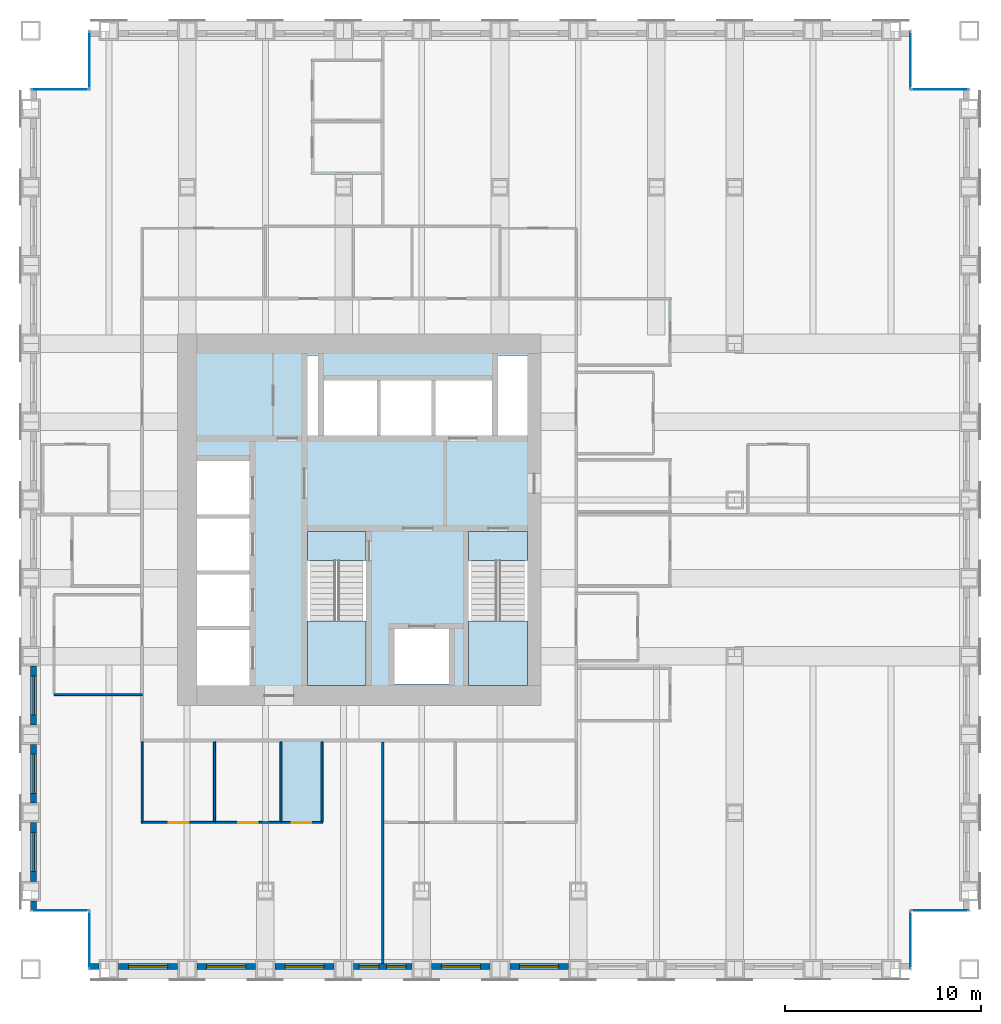
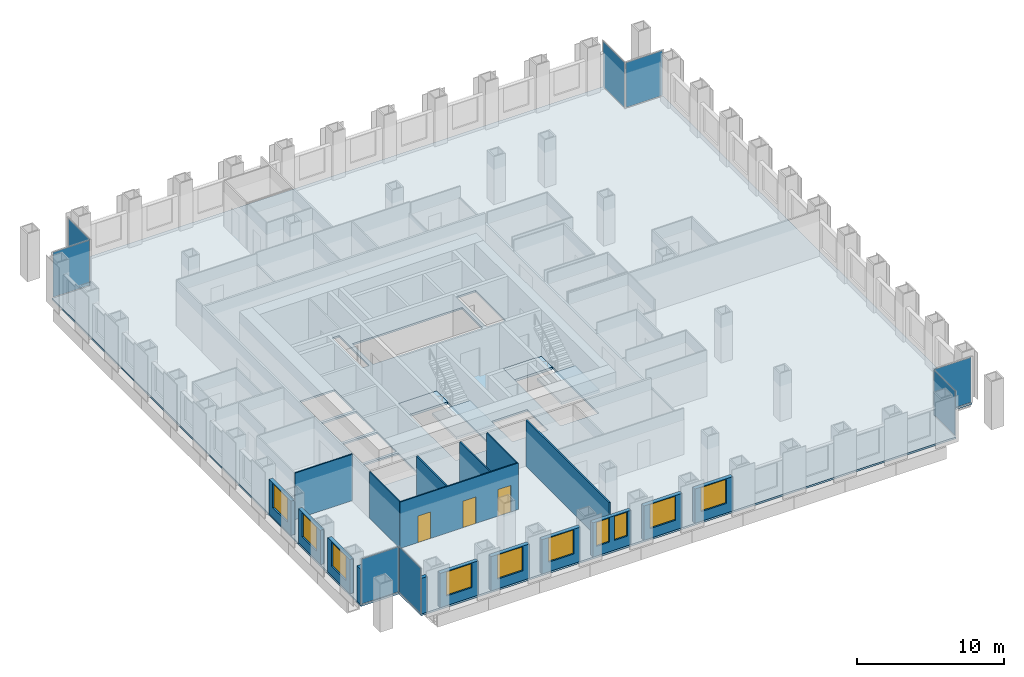
# One storey, part 10 of 16: 18 walls, 10 windows, 8 plates, 5 slabs, 3 doors, 13 openings, 10 elements without a shape of their own.
"""IFC4 building model written with IfcOpenShell, lengths in metres."""

from ifc_helpers import new_model, si_unit, direction, frame, frame_2d, origin, origin_2d, place, context, subcontext, project, spatial, polyline, rectangle, outline, extrude, material, layer, layer_set, type_object, element, fill, aggregate, save


model = new_model("IFC4")

# Units and contexts
model_context = context("Model", 3, precision=1e-05, world=origin(), true_north=direction((0.0, 1.0)))
body_context = subcontext(model_context, "Body", "Model", "MODEL_VIEW")
ifc_project = project(units=[si_unit("LENGTHUNIT", "METRE"), si_unit("AREAUNIT", "SQUARE_METRE"), si_unit("VOLUMEUNIT", "CUBIC_METRE"), si_unit("PLANEANGLEUNIT", "RADIAN"), si_unit("MASSUNIT", "GRAM", prefix="KILO")], contexts=[model_context])

# Site, building, storey
site_placement = place(None, origin())
site = spatial("IfcSite", under=ifc_project, at=site_placement, CompositionType="ELEMENT")
building_placement = place(site_placement, origin())
building = spatial("IfcBuilding", under=site, at=building_placement, Name="Rimbunsela Tower", CompositionType="ELEMENT")
storey_placement = place(building_placement, frame((0.0, 0.0, 121.39990234375)))
storey = spatial("IfcBuildingStorey", under=building, at=storey_placement, Name="L29", CompositionType="ELEMENT", Elevation=121.39990234375)

# Slab
ifc_material_1 = material(Name="Concrete fc' 35 MPa", Category="concrete")
ifc_layer_1 = layer(ifc_material_1, 0.14990234375)
ifc_layer_set_1 = layer_set([ifc_layer_1], Name="Floor slab 150")
slab_type_1 = type_object("IfcSlabType", Name="Floor slab 150", PredefinedType="FLOOR", material=ifc_layer_set_1)
slab_1_placement = place(storey_placement, frame((0.0, 0.0, -0.14990234375)))
element("IfcSlab", 1, at=slab_1_placement, inside=storey, type_object=slab_type_1, Name="Floor slab L29", PredefinedType="FLOOR", context=body_context, shape_type="SweptSolid", body=[
    extrude(outline(polyline([(13.0, 4.0), (55.0, 4.0), (55.0, 7.0), (58.0, 7.0), (58.0, 49.0), (55.0, 49.0), (55.0, 52.0), (13.0, 52.0), (13.0, 49.0), (10.0, 49.0), (10.0, 7.0), (13.0, 7.0), (13.0, 4.0)]), holes=[polyline([(21.199951171875, 21.35009765625), (18.5, 21.35009765625), (18.5, 18.5), (21.199951171875, 18.5), (21.199951171875, 21.35009765625)]), polyline([(21.199951171875, 21.550048828125), (21.199951171875, 24.199951171875), (18.5, 24.199951171875), (18.5, 21.550048828125), (21.199951171875, 21.550048828125)]), polyline([(21.199951171875, 27.050048828125), (18.5, 27.050048828125), (18.5, 24.39990234375), (21.199951171875, 24.39990234375), (21.199951171875, 27.050048828125)]), polyline([(21.199951171875, 27.25), (21.199951171875, 30.0), (18.5, 30.0), (18.5, 27.25), (21.199951171875, 27.25)]), polyline([(27.14990234375, 18.60009765625), (27.14990234375, 26.39990234375), (24.14990234375, 26.39990234375), (24.14990234375, 18.60009765625), (27.14990234375, 18.60009765625)]), polyline([(24.699951171875, 31.300048828125), (24.699951171875, 35.39990234375), (24.14990234375, 35.39990234375), (24.14990234375, 31.300048828125), (24.699951171875, 31.300048828125)]), polyline([(25.0, 34.10009765625), (25.0, 31.300048828125), (33.60009765625, 31.300048828125), (33.60009765625, 34.10009765625), (25.0, 34.10009765625)]), polyline([(31.39990234375, 21.39990234375), (28.60009765625, 21.39990234375), (28.60009765625, 18.60009765625), (31.39990234375, 18.60009765625), (31.39990234375, 21.39990234375)]), polyline([(35.39990234375, 18.60009765625), (35.39990234375, 26.39990234375), (32.39990234375, 26.39990234375), (32.39990234375, 18.60009765625), (35.39990234375, 18.60009765625)]), polyline([(35.39990234375, 31.300048828125), (35.39990234375, 35.39990234375), (33.89990234375, 35.39990234375), (33.89990234375, 31.300048828125), (35.39990234375, 31.300048828125)])]), origin(), (0.0, 0.0, 1.0), 0.14990234375),
])

# Curtain wall, plate
ifc_material_2 = material(Name="Aluminium curtain wall", Category="aluminium")
curtain_wall_type = type_object("IfcCurtainWallType", Name="Corner glazing", PredefinedType="USERDEFINED", material=ifc_material_2)
curtain_wall_1_placement = place(storey_placement, origin())
curtain_wall_1 = element("IfcCurtainWall", 2, at=curtain_wall_1_placement, inside=storey, type_object=curtain_wall_type, Name="Corner glazing L29", ObjectType="CORNER GLAZING", PredefinedType="USERDEFINED")
ifc_material_3 = material(Name="Clear double glazing", Category="glass")
ifc_layer_2 = layer(ifc_material_3, 0.028076171875)
ifc_layer_set_2 = layer_set([ifc_layer_2], Name="Glazed panel clear")
plate_type = type_object("IfcPlateType", Name="Glazed panel clear", PredefinedType="CURTAIN_PANEL", material=ifc_layer_set_2)
plate_1_placement = place(storey_placement, frame((55.0, 5.5, 0.06005859375), z_axis=(0.0, 0.0, 1.0), x_axis=(0.0, 1.0, 0.0)))
plate_1 = element("IfcPlate", 3, at=plate_1_placement, type_object=plate_type, Name="CW5 panel 1.1", PredefinedType="CURTAIN_PANEL", context=body_context, shape_type="SweptSolid", body=[
    extrude(rectangle(XDim=2.8798828125, YDim=0.028076171875, at=origin_2d()), origin(), (0.0, 0.0, 1.0), 3.72998046875),
])
aggregate(curtain_wall_1, [plate_1])

curtain_wall_2_placement = place(storey_placement, origin())
curtain_wall_2 = element("IfcCurtainWall", 4, at=curtain_wall_2_placement, inside=storey, type_object=curtain_wall_type, Name="Corner glazing L29", ObjectType="CORNER GLAZING", PredefinedType="USERDEFINED")
plate_2_placement = place(storey_placement, frame((56.5, 7.0, 0.06005859375), z_axis=(0.0, 0.0, 1.0), x_axis=(1.0, 0.0, 0.0)))
plate_2 = element("IfcPlate", 5, at=plate_2_placement, type_object=plate_type, Name="CW5 panel 1.1", PredefinedType="CURTAIN_PANEL", context=body_context, shape_type="SweptSolid", body=[
    extrude(rectangle(XDim=2.8798828125, YDim=0.028076171875, at=origin_2d()), origin(), (0.0, 0.0, 1.0), 3.72998046875),
])
aggregate(curtain_wall_2, [plate_2])

curtain_wall_3_placement = place(storey_placement, origin())
curtain_wall_3 = element("IfcCurtainWall", 6, at=curtain_wall_3_placement, inside=storey, type_object=curtain_wall_type, Name="Corner glazing L29", ObjectType="CORNER GLAZING", PredefinedType="USERDEFINED")
plate_3_placement = place(storey_placement, frame((56.5, 49.0, 0.06005859375), z_axis=(0.0, 0.0, 1.0), x_axis=(-1.0, 0.0, 0.0)))
plate_3 = element("IfcPlate", 7, at=plate_3_placement, type_object=plate_type, Name="CW5 panel 1.1", PredefinedType="CURTAIN_PANEL", context=body_context, shape_type="SweptSolid", body=[
    extrude(rectangle(XDim=2.8798828125, YDim=0.028076171875, at=origin_2d()), origin(), (0.0, 0.0, 1.0), 3.72998046875),
])
aggregate(curtain_wall_3, [plate_3])

curtain_wall_4_placement = place(storey_placement, origin())
curtain_wall_4 = element("IfcCurtainWall", 8, at=curtain_wall_4_placement, inside=storey, type_object=curtain_wall_type, Name="Corner glazing L29", ObjectType="CORNER GLAZING", PredefinedType="USERDEFINED")
plate_4_placement = place(storey_placement, frame((55.0, 50.5, 0.06005859375), z_axis=(0.0, 0.0, 1.0), x_axis=(0.0, 1.0, 0.0)))
plate_4 = element("IfcPlate", 9, at=plate_4_placement, type_object=plate_type, Name="CW5 panel 1.1", PredefinedType="CURTAIN_PANEL", context=body_context, shape_type="SweptSolid", body=[
    extrude(rectangle(XDim=2.8798828125, YDim=0.028076171875, at=origin_2d()), origin(), (0.0, 0.0, 1.0), 3.72998046875),
])
aggregate(curtain_wall_4, [plate_4])

curtain_wall_5_placement = place(storey_placement, origin())
curtain_wall_5 = element("IfcCurtainWall", 10, at=curtain_wall_5_placement, inside=storey, type_object=curtain_wall_type, Name="Corner glazing L29", ObjectType="CORNER GLAZING", PredefinedType="USERDEFINED")
plate_5_placement = place(storey_placement, frame((13.0, 50.5, 0.06005859375), z_axis=(0.0, 0.0, 1.0), x_axis=(0.0, -1.0, 0.0)))
plate_5 = element("IfcPlate", 11, at=plate_5_placement, type_object=plate_type, Name="CW5 panel 1.1", PredefinedType="CURTAIN_PANEL", context=body_context, shape_type="SweptSolid", body=[
    extrude(rectangle(XDim=2.8798828125, YDim=0.028076171875, at=origin_2d()), origin(), (0.0, 0.0, 1.0), 3.72998046875),
])
aggregate(curtain_wall_5, [plate_5])

curtain_wall_6_placement = place(storey_placement, origin())
curtain_wall_6 = element("IfcCurtainWall", 12, at=curtain_wall_6_placement, inside=storey, type_object=curtain_wall_type, Name="Corner glazing L29", ObjectType="CORNER GLAZING", PredefinedType="USERDEFINED")
plate_6_placement = place(storey_placement, frame((11.5, 49.0, 0.06005859375), z_axis=(0.0, 0.0, 1.0), x_axis=(-1.0, 0.0, 0.0)))
plate_6 = element("IfcPlate", 13, at=plate_6_placement, type_object=plate_type, Name="CW5 panel 1.1", PredefinedType="CURTAIN_PANEL", context=body_context, shape_type="SweptSolid", body=[
    extrude(rectangle(XDim=2.8798828125, YDim=0.028076171875, at=origin_2d()), origin(), (0.0, 0.0, 1.0), 3.72998046875),
])
aggregate(curtain_wall_6, [plate_6])

curtain_wall_7_placement = place(storey_placement, origin())
curtain_wall_7 = element("IfcCurtainWall", 14, at=curtain_wall_7_placement, inside=storey, type_object=curtain_wall_type, Name="Corner glazing L29", ObjectType="CORNER GLAZING", PredefinedType="USERDEFINED")
plate_7_placement = place(storey_placement, frame((11.5, 7.0, 0.06005859375), z_axis=(0.0, 0.0, 1.0), x_axis=(1.0, 0.0, 0.0)))
plate_7 = element("IfcPlate", 15, at=plate_7_placement, type_object=plate_type, Name="CW5 panel 1.1", PredefinedType="CURTAIN_PANEL", context=body_context, shape_type="SweptSolid", body=[
    extrude(rectangle(XDim=2.8798828125, YDim=0.028076171875, at=origin_2d()), origin(), (0.0, 0.0, 1.0), 3.72998046875),
])
aggregate(curtain_wall_7, [plate_7])

curtain_wall_8_placement = place(storey_placement, origin())
curtain_wall_8 = element("IfcCurtainWall", 16, at=curtain_wall_8_placement, inside=storey, type_object=curtain_wall_type, Name="Corner glazing L29", ObjectType="CORNER GLAZING", PredefinedType="USERDEFINED")
plate_8_placement = place(storey_placement, frame((13.0, 5.5, 0.06005859375), z_axis=(0.0, 0.0, 1.0), x_axis=(0.0, -1.0, 0.0)))
plate_8 = element("IfcPlate", 17, at=plate_8_placement, type_object=plate_type, Name="CW5 panel 1.1", PredefinedType="CURTAIN_PANEL", context=body_context, shape_type="SweptSolid", body=[
    extrude(rectangle(XDim=2.8798828125, YDim=0.028076171875, at=origin_2d()), origin(), (0.0, 0.0, 1.0), 3.72998046875),
])
aggregate(curtain_wall_8, [plate_8])

# Stair, slabs
ifc_material_4 = material(Name="Concrete fc' 35 MPa", Category="concrete")
stair_type = type_object("IfcStairType", Name="Exit stair 24 risers", PredefinedType="HALF_TURN_STAIR", material=ifc_material_4)
stair_1_placement = place(storey_placement, origin())
stair_1 = element("IfcStair", 18, at=stair_1_placement, inside=storey, type_object=stair_type, Name="Exit stair A L29", PredefinedType="HALF_TURN_STAIR")
ifc_material_5 = material(Name="Concrete fc' 35 MPa", Category="concrete")
ifc_layer_3 = layer(ifc_material_5, 0.199951171875)
ifc_layer_set_3 = layer_set([ifc_layer_3], Name="Stair landing 200")
slab_type_2 = type_object("IfcSlabType", Name="Stair landing 200", PredefinedType="LANDING", material=ifc_layer_set_3)
slab_2_placement = place(storey_placement, frame((0.0, 0.0, -0.199951171875)))
slab_2 = element("IfcSlab", 19, at=slab_2_placement, type_object=slab_type_2, Name="ST-A landing 1", PredefinedType="LANDING", context=body_context, shape_type="SweptSolid", body=[
    extrude(outline(polyline([(24.14990234375, 24.89990234375), (27.14990234375, 24.89990234375), (27.14990234375, 26.39990234375), (24.14990234375, 26.39990234375), (24.14990234375, 24.89990234375)])), origin(), (0.0, 0.0, 1.0), 0.199951171875),
])
slab_3_placement = place(storey_placement, frame((0.0, 0.0, 1.800048828125)))
slab_3 = element("IfcSlab", 20, at=slab_3_placement, type_object=slab_type_2, Name="ST-A landing 2", PredefinedType="LANDING", context=body_context, shape_type="SweptSolid", body=[
    extrude(outline(polyline([(24.14990234375, 18.5), (27.14990234375, 18.5), (27.14990234375, 21.820068359375), (24.14990234375, 21.820068359375), (24.14990234375, 18.5)])), origin(), (0.0, 0.0, 1.0), 0.199951171875),
])
aggregate(stair_1, [slab_2, slab_3])

stair_2_placement = place(storey_placement, origin())
stair_2 = element("IfcStair", 21, at=stair_2_placement, inside=storey, type_object=stair_type, Name="Exit stair B L29", PredefinedType="HALF_TURN_STAIR")
slab_4_placement = place(storey_placement, frame((0.0, 0.0, -0.199951171875)))
slab_4 = element("IfcSlab", 22, at=slab_4_placement, type_object=slab_type_2, Name="ST-B landing 1", PredefinedType="LANDING", context=body_context, shape_type="SweptSolid", body=[
    extrude(outline(polyline([(32.39990234375, 24.89990234375), (35.39990234375, 24.89990234375), (35.39990234375, 26.39990234375), (32.39990234375, 26.39990234375), (32.39990234375, 24.89990234375)])), origin(), (0.0, 0.0, 1.0), 0.199951171875),
])
slab_5_placement = place(storey_placement, frame((0.0, 0.0, 1.800048828125)))
slab_5 = element("IfcSlab", 23, at=slab_5_placement, type_object=slab_type_2, Name="ST-B landing 2", PredefinedType="LANDING", context=body_context, shape_type="SweptSolid", body=[
    extrude(outline(polyline([(32.39990234375, 18.5), (35.39990234375, 18.5), (35.39990234375, 21.820068359375), (32.39990234375, 21.820068359375), (32.39990234375, 18.5)])), origin(), (0.0, 0.0, 1.0), 0.199951171875),
])
aggregate(stair_2, [slab_4, slab_5])

# Wall, openings, doors
ifc_material_6 = material(Name="Gypsum board on steel studs", Category="steel")
ifc_layer_4 = layer(ifc_material_6, 0.10009765625)
ifc_layer_set_4 = layer_set([ifc_layer_4], Name="Office partition 100")
wall_type_1 = type_object("IfcWallType", Name="Office partition 100", PredefinedType="PARTITIONING", material=ifc_layer_set_4)
wall_1_placement = place(storey_placement, frame((15.64990234375, 11.5, 0.0), z_axis=(0.0, 0.0, 1.0), x_axis=(1.0, 0.0, 0.0)))
wall_1 = element("IfcWall", 24, at=wall_1_placement, inside=storey, type_object=wall_type_1, Name="Office partition", PredefinedType="PARTITIONING", context=body_context, shape_type="SweptSolid", body=[
    extrude(rectangle(XDim=9.300048828125, YDim=0.10009765625, at=frame_2d((4.64990234375, 0.0))), origin(), (0.0, 0.0, 1.0), 3.85009765625),
])
opening_1_placement = place(wall_1_placement, frame((1.39990234375, 0.0, 0.0)))
opening_1 = element("IfcOpeningElement", 25, at=opening_1_placement, cuts=wall_1, Name="Opening D17", PredefinedType="OPENING", context=body_context, shape_type="SweptSolid", body=[
    extrude(rectangle(XDim=1.0, YDim=2.199951171875, at=frame_2d((0.5, 1.10009765625))), frame((0.0, 0.06005859375, 0.0), z_axis=(0.0, -1.0, 0.0), x_axis=(1.0, 0.0, 0.0)), (0.0, 0.0, 1.0), 0.1201171875),
])
opening_2_placement = place(wall_1_placement, frame((4.949951171875, 0.0, 0.0)))
opening_2 = element("IfcOpeningElement", 26, at=opening_2_placement, cuts=wall_1, Name="Opening D16", PredefinedType="OPENING", context=body_context, shape_type="SweptSolid", body=[
    extrude(rectangle(XDim=1.0, YDim=2.199951171875, at=frame_2d((0.5, 1.10009765625))), frame((0.0, 0.06005859375, 0.0), z_axis=(0.0, -1.0, 0.0), x_axis=(1.0, 0.0, 0.0)), (0.0, 0.0, 1.0), 0.1201171875),
])
opening_3_placement = place(wall_1_placement, frame((7.699951171875, 0.0, 0.0)))
opening_3 = element("IfcOpeningElement", 27, at=opening_3_placement, cuts=wall_1, Name="Opening D16", PredefinedType="OPENING", context=body_context, shape_type="SweptSolid", body=[
    extrude(rectangle(XDim=1.0, YDim=2.199951171875, at=frame_2d((0.5, 1.10009765625))), frame((0.0, 0.06005859375, 0.0), z_axis=(0.0, -1.0, 0.0), x_axis=(1.0, 0.0, 0.0)), (0.0, 0.0, 1.0), 0.1201171875),
])
ifc_material_7 = material(Name="Glazed aluminium door", Category="aluminium")
door_type_1 = type_object("IfcDoorType", Name="Meeting room door 1000 glazed", OperationType="SINGLE_SWING_RIGHT", PredefinedType="DOOR", material=ifc_material_7)
door_1_placement = place(opening_1_placement, origin())
door_1 = element("IfcDoor", 28, at=door_1_placement, inside=storey, type_object=door_type_1, Name="Meeting room door", OperationType="SINGLE_SWING_RIGHT", OverallHeight=2.199951171875, OverallWidth=1.0, PredefinedType="DOOR", context=body_context, shape_type="SweptSolid", body=[
    extrude(rectangle(XDim=1.0, YDim=2.199951171875, at=frame_2d((0.5, 1.10009765625))), frame((0.0, 0.02490234375, 0.0), z_axis=(0.0, -1.0, 0.0), x_axis=(1.0, 0.0, 0.0)), (0.0, 0.0, 1.0), 0.050048828125),
])
fill(opening_1, door_1)
ifc_material_8 = material(Name="Timber door", Category="wood")
door_type_2 = type_object("IfcDoorType", Name="Office door 1000", OperationType="SINGLE_SWING_LEFT", PredefinedType="DOOR", material=ifc_material_8)
door_2_placement = place(opening_2_placement, origin())
door_2 = element("IfcDoor", 29, at=door_2_placement, inside=storey, type_object=door_type_2, Name="Office door", OperationType="SINGLE_SWING_LEFT", OverallHeight=2.199951171875, OverallWidth=1.0, PredefinedType="DOOR", context=body_context, shape_type="SweptSolid", body=[
    extrude(rectangle(XDim=1.0, YDim=2.199951171875, at=frame_2d((0.5, 1.10009765625))), frame((0.0, 0.02490234375, 0.0), z_axis=(0.0, -1.0, 0.0), x_axis=(1.0, 0.0, 0.0)), (0.0, 0.0, 1.0), 0.050048828125),
])
fill(opening_2, door_2)
door_3_placement = place(opening_3_placement, origin())
door_3 = element("IfcDoor", 30, at=door_3_placement, inside=storey, type_object=door_type_2, Name="Office door", OperationType="SINGLE_SWING_LEFT", OverallHeight=2.199951171875, OverallWidth=1.0, PredefinedType="DOOR", context=body_context, shape_type="SweptSolid", body=[
    extrude(rectangle(XDim=1.0, YDim=2.199951171875, at=frame_2d((0.5, 1.10009765625))), frame((0.0, 0.02490234375, 0.0), z_axis=(0.0, -1.0, 0.0), x_axis=(1.0, 0.0, 0.0)), (0.0, 0.0, 1.0), 0.050048828125),
])
fill(opening_3, door_3)

# Walls
for number, where, z_axis, x_axis, name in (
    (31, (15.699951171875, 11.550048828125, 0.0), (0.0, 0.0, 1.0), (0.0, 1.0, 0.0), "Office partition"),
    (32, (19.39990234375, 11.550048828125, 0.0), (0.0, 0.0, 1.0), (0.0, 1.0, 0.0), "Office partition"),
    (33, (22.800048828125, 11.550048828125, 0.0), (0.0, 0.0, 1.0), (0.0, 1.0, 0.0), "Office partition"),
    (34, (24.89990234375, 11.550048828125, 0.0), (0.0, 0.0, 1.0), (0.0, 1.0, 0.0), "Office partition"),
):
    element("IfcWall", number, at=place(storey_placement, frame(where, z_axis=z_axis, x_axis=x_axis)), inside=storey, type_object=wall_type_1, Name=name, PredefinedType="PARTITIONING", context=body_context, shape_type="SweptSolid", body=[
        extrude(rectangle(XDim=4.074951171875, YDim=0.10009765625, at=frame_2d((2.03759765625, 0.0))), origin(), (0.0, 0.0, 1.0), 3.85009765625),
    ])
wall_2_placement = place(storey_placement, frame((11.199951171875, 18.049072265625, 0.0), z_axis=(0.0, 0.0, 1.0), x_axis=(1.0, 0.0, 0.0)))
element("IfcWall", 35, at=wall_2_placement, inside=storey, type_object=wall_type_1, Name="Office partition", PredefinedType="PARTITIONING", context=body_context, shape_type="SweptSolid", body=[
    extrude(rectangle(XDim=4.5, YDim=0.10009765625, at=frame_2d((2.25, 0.0))), origin(), (0.0, 0.0, 1.0), 3.85009765625),
])
ifc_material_9 = material(Name="Precast concrete fc' 35 MPa", Category="concrete")
ifc_layer_5 = layer(ifc_material_9, 0.300048828125)
ifc_layer_set_5 = layer_set([ifc_layer_5], Name="Precast concrete fc' 35 MPa")
wall_type_2 = type_object("IfcWallType", Name="Precast facade panel 300", PredefinedType="ELEMENTEDWALL", material=ifc_layer_set_5)
wall_3_placement = place(storey_placement, frame((13.030029296875, 4.14990234375, 0.0), z_axis=(0.0, 0.0, 1.0), x_axis=(1.0, 0.0, 0.0)))
element("IfcWall", 36, at=wall_3_placement, inside=storey, type_object=wall_type_2, Name="Facade panel S L29", PredefinedType="ELEMENTEDWALL", context=body_context, shape_type="SweptSolid", body=[
    extrude(rectangle(XDim=0.469970703125, YDim=0.300048828125, at=frame_2d((0.23486328125, 0.0))), origin(), (0.0, 0.0, 1.0), 2.9501953125),
])

# Wall, opening, window
wall_4_placement = place(storey_placement, frame((14.5, 4.14990234375, 0.0), z_axis=(0.0, 0.0, 1.0), x_axis=(1.0, 0.0, 0.0)))
wall_4 = element("IfcWall", 37, at=wall_4_placement, inside=storey, type_object=wall_type_2, Name="Facade panel S L29", PredefinedType="ELEMENTEDWALL", context=body_context, shape_type="SweptSolid", body=[
    extrude(rectangle(XDim=3.0, YDim=0.300048828125, at=frame_2d((1.5, 0.0))), origin(), (0.0, 0.0, 1.0), 2.85009765625),
])
opening_4_placement = place(wall_4_placement, frame((0.5, 0.0, 0.800048828125)))
opening_4 = element("IfcOpeningElement", 38, at=opening_4_placement, cuts=wall_4, Name="Opening W1", PredefinedType="OPENING", context=body_context, shape_type="SweptSolid", body=[
    extrude(rectangle(XDim=2.0, YDim=2.0, at=frame_2d((1.0, 1.0))), frame((0.0, 0.159912109375, 0.0), z_axis=(0.0, -1.0, 0.0), x_axis=(1.0, 0.0, 0.0)), (0.0, 0.0, 1.0), 0.320068359375),
])
ifc_material_10 = material(Name="Clear glass in aluminium frame", Category="aluminium")
window_type_1 = type_object("IfcWindowType", Name="Window W1 2000x2000", PartitioningType="DOUBLE_PANEL_VERTICAL", PredefinedType="WINDOW", material=ifc_material_10)
window_1_placement = place(opening_4_placement, origin())
window_1 = element("IfcWindow", 39, at=window_1_placement, inside=storey, type_object=window_type_1, Name="Window L29", OverallHeight=2.0, OverallWidth=2.0, PartitioningType="SINGLE_PANEL", PredefinedType="WINDOW", context=body_context, shape_type="SweptSolid", body=[
    extrude(rectangle(XDim=2.0, YDim=2.0, at=frame_2d((1.0, 1.0))), frame((0.0, 0.030029296875, 0.0), z_axis=(0.0, -1.0, 0.0), x_axis=(1.0, 0.0, 0.0)), (0.0, 0.0, 1.0), 0.06005859375),
])
fill(opening_4, window_1)

wall_5_placement = place(storey_placement, frame((18.5, 4.14990234375, 0.0), z_axis=(0.0, 0.0, 1.0), x_axis=(1.0, 0.0, 0.0)))
wall_5 = element("IfcWall", 40, at=wall_5_placement, inside=storey, type_object=wall_type_2, Name="Facade panel S L29", PredefinedType="ELEMENTEDWALL", context=body_context, shape_type="SweptSolid", body=[
    extrude(rectangle(XDim=3.0, YDim=0.300048828125, at=frame_2d((1.5, 0.0))), origin(), (0.0, 0.0, 1.0), 2.85009765625),
])
opening_5_placement = place(wall_5_placement, frame((0.5, 0.0, 0.800048828125)))
opening_5 = element("IfcOpeningElement", 41, at=opening_5_placement, cuts=wall_5, Name="Opening W1", PredefinedType="OPENING", context=body_context, shape_type="SweptSolid", body=[
    extrude(rectangle(XDim=2.0, YDim=2.0, at=frame_2d((1.0, 1.0))), frame((0.0, 0.159912109375, 0.0), z_axis=(0.0, -1.0, 0.0), x_axis=(1.0, 0.0, 0.0)), (0.0, 0.0, 1.0), 0.320068359375),
])
window_2_placement = place(opening_5_placement, origin())
window_2 = element("IfcWindow", 42, at=window_2_placement, inside=storey, type_object=window_type_1, Name="Window L29", OverallHeight=2.0, OverallWidth=2.0, PartitioningType="SINGLE_PANEL", PredefinedType="WINDOW", context=body_context, shape_type="SweptSolid", body=[
    extrude(rectangle(XDim=2.0, YDim=2.0, at=frame_2d((1.0, 1.0))), frame((0.0, 0.030029296875, 0.0), z_axis=(0.0, -1.0, 0.0), x_axis=(1.0, 0.0, 0.0)), (0.0, 0.0, 1.0), 0.06005859375),
])
fill(opening_5, window_2)

wall_6_placement = place(storey_placement, frame((22.5, 4.14990234375, 0.0), z_axis=(0.0, 0.0, 1.0), x_axis=(1.0, 0.0, 0.0)))
wall_6 = element("IfcWall", 43, at=wall_6_placement, inside=storey, type_object=wall_type_2, Name="Facade panel S L29", PredefinedType="ELEMENTEDWALL", context=body_context, shape_type="SweptSolid", body=[
    extrude(rectangle(XDim=3.0, YDim=0.300048828125, at=frame_2d((1.5, 0.0))), origin(), (0.0, 0.0, 1.0), 2.85009765625),
])
opening_6_placement = place(wall_6_placement, frame((0.5, 0.0, 0.800048828125)))
opening_6 = element("IfcOpeningElement", 44, at=opening_6_placement, cuts=wall_6, Name="Opening W1", PredefinedType="OPENING", context=body_context, shape_type="SweptSolid", body=[
    extrude(rectangle(XDim=2.0, YDim=2.0, at=frame_2d((1.0, 1.0))), frame((0.0, 0.159912109375, 0.0), z_axis=(0.0, -1.0, 0.0), x_axis=(1.0, 0.0, 0.0)), (0.0, 0.0, 1.0), 0.320068359375),
])
window_3_placement = place(opening_6_placement, origin())
window_3 = element("IfcWindow", 45, at=window_3_placement, inside=storey, type_object=window_type_1, Name="Window L29", OverallHeight=2.0, OverallWidth=2.0, PartitioningType="SINGLE_PANEL", PredefinedType="WINDOW", context=body_context, shape_type="SweptSolid", body=[
    extrude(rectangle(XDim=2.0, YDim=2.0, at=frame_2d((1.0, 1.0))), frame((0.0, 0.030029296875, 0.0), z_axis=(0.0, -1.0, 0.0), x_axis=(1.0, 0.0, 0.0)), (0.0, 0.0, 1.0), 0.06005859375),
])
fill(opening_6, window_3)

# Wall, openings, windows
wall_7_placement = place(storey_placement, frame((26.5, 4.14990234375, 0.0), z_axis=(0.0, 0.0, 1.0), x_axis=(1.0, 0.0, 0.0)))
wall_7 = element("IfcWall", 46, at=wall_7_placement, inside=storey, type_object=wall_type_2, Name="Facade panel S L29", PredefinedType="ELEMENTEDWALL", context=body_context, shape_type="SweptSolid", body=[
    extrude(rectangle(XDim=3.0, YDim=0.300048828125, at=frame_2d((1.5, 0.0))), origin(), (0.0, 0.0, 1.0), 2.85009765625),
])
opening_7_placement = place(wall_7_placement, frame((0.300048828125, 0.0, 0.800048828125)))
opening_7 = element("IfcOpeningElement", 47, at=opening_7_placement, cuts=wall_7, Name="Opening W5", PredefinedType="OPENING", context=body_context, shape_type="SweptSolid", body=[
    extrude(rectangle(XDim=1.0, YDim=2.0, at=frame_2d((0.5, 1.0))), frame((0.0, 0.159912109375, 0.0), z_axis=(0.0, -1.0, 0.0), x_axis=(1.0, 0.0, 0.0)), (0.0, 0.0, 1.0), 0.320068359375),
])
opening_8_placement = place(wall_7_placement, frame((1.699951171875, 0.0, 0.800048828125)))
opening_8 = element("IfcOpeningElement", 48, at=opening_8_placement, cuts=wall_7, Name="Opening W5", PredefinedType="OPENING", context=body_context, shape_type="SweptSolid", body=[
    extrude(rectangle(XDim=1.0, YDim=2.0, at=frame_2d((0.5, 1.0))), frame((0.0, 0.159912109375, 0.0), z_axis=(0.0, -1.0, 0.0), x_axis=(1.0, 0.0, 0.0)), (0.0, 0.0, 1.0), 0.320068359375),
])
ifc_material_11 = material(Name="Clear glass in aluminium frame", Category="aluminium")
window_type_2 = type_object("IfcWindowType", Name="Window W5 1000x2000", PartitioningType="SINGLE_PANEL", PredefinedType="WINDOW", material=ifc_material_11)
window_4_placement = place(opening_7_placement, origin())
window_4 = element("IfcWindow", 49, at=window_4_placement, inside=storey, type_object=window_type_2, Name="Window L29", OverallHeight=2.0, OverallWidth=1.0, PartitioningType="SINGLE_PANEL", PredefinedType="WINDOW", context=body_context, shape_type="SweptSolid", body=[
    extrude(rectangle(XDim=1.0, YDim=2.0, at=frame_2d((0.5, 1.0))), frame((0.0, 0.030029296875, 0.0), z_axis=(0.0, -1.0, 0.0), x_axis=(1.0, 0.0, 0.0)), (0.0, 0.0, 1.0), 0.06005859375),
])
fill(opening_7, window_4)
window_5_placement = place(opening_8_placement, origin())
window_5 = element("IfcWindow", 50, at=window_5_placement, inside=storey, type_object=window_type_2, Name="Window L29", OverallHeight=2.0, OverallWidth=1.0, PartitioningType="SINGLE_PANEL", PredefinedType="WINDOW", context=body_context, shape_type="SweptSolid", body=[
    extrude(rectangle(XDim=1.0, YDim=2.0, at=frame_2d((0.5, 1.0))), frame((0.0, 0.030029296875, 0.0), z_axis=(0.0, -1.0, 0.0), x_axis=(1.0, 0.0, 0.0)), (0.0, 0.0, 1.0), 0.06005859375),
])
fill(opening_8, window_5)

# Wall, opening, window
wall_8_placement = place(storey_placement, frame((30.5, 4.14990234375, 0.0), z_axis=(0.0, 0.0, 1.0), x_axis=(1.0, 0.0, 0.0)))
wall_8 = element("IfcWall", 51, at=wall_8_placement, inside=storey, type_object=wall_type_2, Name="Facade panel S L29", PredefinedType="ELEMENTEDWALL", context=body_context, shape_type="SweptSolid", body=[
    extrude(rectangle(XDim=3.0, YDim=0.300048828125, at=frame_2d((1.5, 0.0))), origin(), (0.0, 0.0, 1.0), 2.85009765625),
])
opening_9_placement = place(wall_8_placement, frame((0.5, 0.0, 0.800048828125)))
opening_9 = element("IfcOpeningElement", 52, at=opening_9_placement, cuts=wall_8, Name="Opening W1", PredefinedType="OPENING", context=body_context, shape_type="SweptSolid", body=[
    extrude(rectangle(XDim=2.0, YDim=2.0, at=frame_2d((1.0, 1.0))), frame((0.0, 0.159912109375, 0.0), z_axis=(0.0, -1.0, 0.0), x_axis=(1.0, 0.0, 0.0)), (0.0, 0.0, 1.0), 0.320068359375),
])
window_6_placement = place(opening_9_placement, origin())
window_6 = element("IfcWindow", 53, at=window_6_placement, inside=storey, type_object=window_type_1, Name="Window L29", OverallHeight=2.0, OverallWidth=2.0, PartitioningType="SINGLE_PANEL", PredefinedType="WINDOW", context=body_context, shape_type="SweptSolid", body=[
    extrude(rectangle(XDim=2.0, YDim=2.0, at=frame_2d((1.0, 1.0))), frame((0.0, 0.030029296875, 0.0), z_axis=(0.0, -1.0, 0.0), x_axis=(1.0, 0.0, 0.0)), (0.0, 0.0, 1.0), 0.06005859375),
])
fill(opening_9, window_6)

wall_9_placement = place(storey_placement, frame((34.5, 4.14990234375, 0.0), z_axis=(0.0, 0.0, 1.0), x_axis=(1.0, 0.0, 0.0)))
wall_9 = element("IfcWall", 54, at=wall_9_placement, inside=storey, type_object=wall_type_2, Name="Facade panel S L29", PredefinedType="ELEMENTEDWALL", context=body_context, shape_type="SweptSolid", body=[
    extrude(rectangle(XDim=3.0, YDim=0.300048828125, at=frame_2d((1.5, 0.0))), origin(), (0.0, 0.0, 1.0), 2.85009765625),
])
opening_10_placement = place(wall_9_placement, frame((0.5, 0.0, 0.800048828125)))
opening_10 = element("IfcOpeningElement", 55, at=opening_10_placement, cuts=wall_9, Name="Opening W1", PredefinedType="OPENING", context=body_context, shape_type="SweptSolid", body=[
    extrude(rectangle(XDim=2.0, YDim=2.0, at=frame_2d((1.0, 1.0))), frame((0.0, 0.159912109375, 0.0), z_axis=(0.0, -1.0, 0.0), x_axis=(1.0, 0.0, 0.0)), (0.0, 0.0, 1.0), 0.320068359375),
])
window_7_placement = place(opening_10_placement, origin())
window_7 = element("IfcWindow", 56, at=window_7_placement, inside=storey, type_object=window_type_1, Name="Window L29", OverallHeight=2.0, OverallWidth=2.0, PartitioningType="SINGLE_PANEL", PredefinedType="WINDOW", context=body_context, shape_type="SweptSolid", body=[
    extrude(rectangle(XDim=2.0, YDim=2.0, at=frame_2d((1.0, 1.0))), frame((0.0, 0.030029296875, 0.0), z_axis=(0.0, -1.0, 0.0), x_axis=(1.0, 0.0, 0.0)), (0.0, 0.0, 1.0), 0.06005859375),
])
fill(opening_10, window_7)

# Wall
wall_10_placement = place(storey_placement, frame((10.14990234375, 7.5, 0.0), z_axis=(0.0, 0.0, 1.0), x_axis=(0.0, -1.0, 0.0)))
element("IfcWall", 57, at=wall_10_placement, inside=storey, type_object=wall_type_2, Name="Facade panel W L29", PredefinedType="ELEMENTEDWALL", context=body_context, shape_type="SweptSolid", body=[
    extrude(rectangle(XDim=0.469970703125, YDim=0.300048828125, at=frame_2d((0.23486328125, 0.0))), origin(), (0.0, 0.0, 1.0), 2.9501953125),
])

# Wall, opening, window
wall_11_placement = place(storey_placement, frame((10.14990234375, 11.5, 0.0), z_axis=(0.0, 0.0, 1.0), x_axis=(0.0, -1.0, 0.0)))
wall_11 = element("IfcWall", 58, at=wall_11_placement, inside=storey, type_object=wall_type_2, Name="Facade panel W L29", PredefinedType="ELEMENTEDWALL", context=body_context, shape_type="SweptSolid", body=[
    extrude(rectangle(XDim=3.0, YDim=0.300048828125, at=frame_2d((1.5, 0.0))), origin(), (0.0, 0.0, 1.0), 2.85009765625),
])
opening_11_placement = place(wall_11_placement, frame((0.5, 0.0, 0.800048828125)))
opening_11 = element("IfcOpeningElement", 59, at=opening_11_placement, cuts=wall_11, Name="Opening W1", PredefinedType="OPENING", context=body_context, shape_type="SweptSolid", body=[
    extrude(rectangle(XDim=2.0, YDim=2.0, at=frame_2d((1.0, 1.0))), frame((0.0, 0.159912109375, 0.0), z_axis=(0.0, -1.0, 0.0), x_axis=(1.0, 0.0, 0.0)), (0.0, 0.0, 1.0), 0.320068359375),
])
window_8_placement = place(opening_11_placement, origin())
window_8 = element("IfcWindow", 60, at=window_8_placement, inside=storey, type_object=window_type_1, Name="Window L29", OverallHeight=2.0, OverallWidth=2.0, PartitioningType="SINGLE_PANEL", PredefinedType="WINDOW", context=body_context, shape_type="SweptSolid", body=[
    extrude(rectangle(XDim=2.0, YDim=2.0, at=frame_2d((1.0, 1.0))), frame((0.0, 0.030029296875, 0.0), z_axis=(0.0, -1.0, 0.0), x_axis=(1.0, 0.0, 0.0)), (0.0, 0.0, 1.0), 0.06005859375),
])
fill(opening_11, window_8)

wall_12_placement = place(storey_placement, frame((10.14990234375, 15.5, 0.0), z_axis=(0.0, 0.0, 1.0), x_axis=(0.0, -1.0, 0.0)))
wall_12 = element("IfcWall", 61, at=wall_12_placement, inside=storey, type_object=wall_type_2, Name="Facade panel W L29", PredefinedType="ELEMENTEDWALL", context=body_context, shape_type="SweptSolid", body=[
    extrude(rectangle(XDim=3.0, YDim=0.300048828125, at=frame_2d((1.5, 0.0))), origin(), (0.0, 0.0, 1.0), 2.85009765625),
])
opening_12_placement = place(wall_12_placement, frame((0.5, 0.0, 0.800048828125)))
opening_12 = element("IfcOpeningElement", 62, at=opening_12_placement, cuts=wall_12, Name="Opening W1", PredefinedType="OPENING", context=body_context, shape_type="SweptSolid", body=[
    extrude(rectangle(XDim=2.0, YDim=2.0, at=frame_2d((1.0, 1.0))), frame((0.0, 0.159912109375, 0.0), z_axis=(0.0, -1.0, 0.0), x_axis=(1.0, 0.0, 0.0)), (0.0, 0.0, 1.0), 0.320068359375),
])
window_9_placement = place(opening_12_placement, origin())
window_9 = element("IfcWindow", 63, at=window_9_placement, inside=storey, type_object=window_type_1, Name="Window L29", OverallHeight=2.0, OverallWidth=2.0, PartitioningType="SINGLE_PANEL", PredefinedType="WINDOW", context=body_context, shape_type="SweptSolid", body=[
    extrude(rectangle(XDim=2.0, YDim=2.0, at=frame_2d((1.0, 1.0))), frame((0.0, 0.030029296875, 0.0), z_axis=(0.0, -1.0, 0.0), x_axis=(1.0, 0.0, 0.0)), (0.0, 0.0, 1.0), 0.06005859375),
])
fill(opening_12, window_9)

wall_13_placement = place(storey_placement, frame((10.14990234375, 19.5, 0.0), z_axis=(0.0, 0.0, 1.0), x_axis=(0.0, -1.0, 0.0)))
wall_13 = element("IfcWall", 64, at=wall_13_placement, inside=storey, type_object=wall_type_2, Name="Facade panel W L29", PredefinedType="ELEMENTEDWALL", context=body_context, shape_type="SweptSolid", body=[
    extrude(rectangle(XDim=3.0, YDim=0.300048828125, at=frame_2d((1.5, 0.0))), origin(), (0.0, 0.0, 1.0), 2.85009765625),
])
opening_13_placement = place(wall_13_placement, frame((0.5, 0.0, 0.800048828125)))
opening_13 = element("IfcOpeningElement", 65, at=opening_13_placement, cuts=wall_13, Name="Opening W1", PredefinedType="OPENING", context=body_context, shape_type="SweptSolid", body=[
    extrude(rectangle(XDim=2.0, YDim=2.0, at=frame_2d((1.0, 1.0))), frame((0.0, 0.159912109375, 0.0), z_axis=(0.0, -1.0, 0.0), x_axis=(1.0, 0.0, 0.0)), (0.0, 0.0, 1.0), 0.320068359375),
])
window_10_placement = place(opening_13_placement, origin())
window_10 = element("IfcWindow", 66, at=window_10_placement, inside=storey, type_object=window_type_1, Name="Window L29", OverallHeight=2.0, OverallWidth=2.0, PartitioningType="SINGLE_PANEL", PredefinedType="WINDOW", context=body_context, shape_type="SweptSolid", body=[
    extrude(rectangle(XDim=2.0, YDim=2.0, at=frame_2d((1.0, 1.0))), frame((0.0, 0.030029296875, 0.0), z_axis=(0.0, -1.0, 0.0), x_axis=(1.0, 0.0, 0.0)), (0.0, 0.0, 1.0), 0.06005859375),
])
fill(opening_13, window_10)

# Wall
ifc_material_12 = material(Name="Gypsum board on steel studs", Category="steel")
ifc_layer_6 = layer(ifc_material_12, 0.1201171875)
ifc_layer_set_6 = layer_set([ifc_layer_6], Name="Tenancy partition 120")
wall_type_3 = type_object("IfcWallType", Name="Tenancy partition 120", PredefinedType="PARTITIONING", material=ifc_layer_set_6)
wall_14_placement = place(storey_placement, frame((28.0, 4.300048828125, 0.0), z_axis=(0.0, 0.0, 1.0), x_axis=(0.0, 1.0, 0.0)))
element("IfcWall", 67, at=wall_14_placement, inside=storey, type_object=wall_type_3, Name="Tenancy partition south", PredefinedType="PARTITIONING", context=body_context, shape_type="SweptSolid", body=[
    extrude(rectangle(XDim=11.324951171875, YDim=0.1201171875, at=frame_2d((5.66259765625, 0.0))), origin(), (0.0, 0.0, 1.0), 3.85009765625),
])

save(model, "model.ifc")
